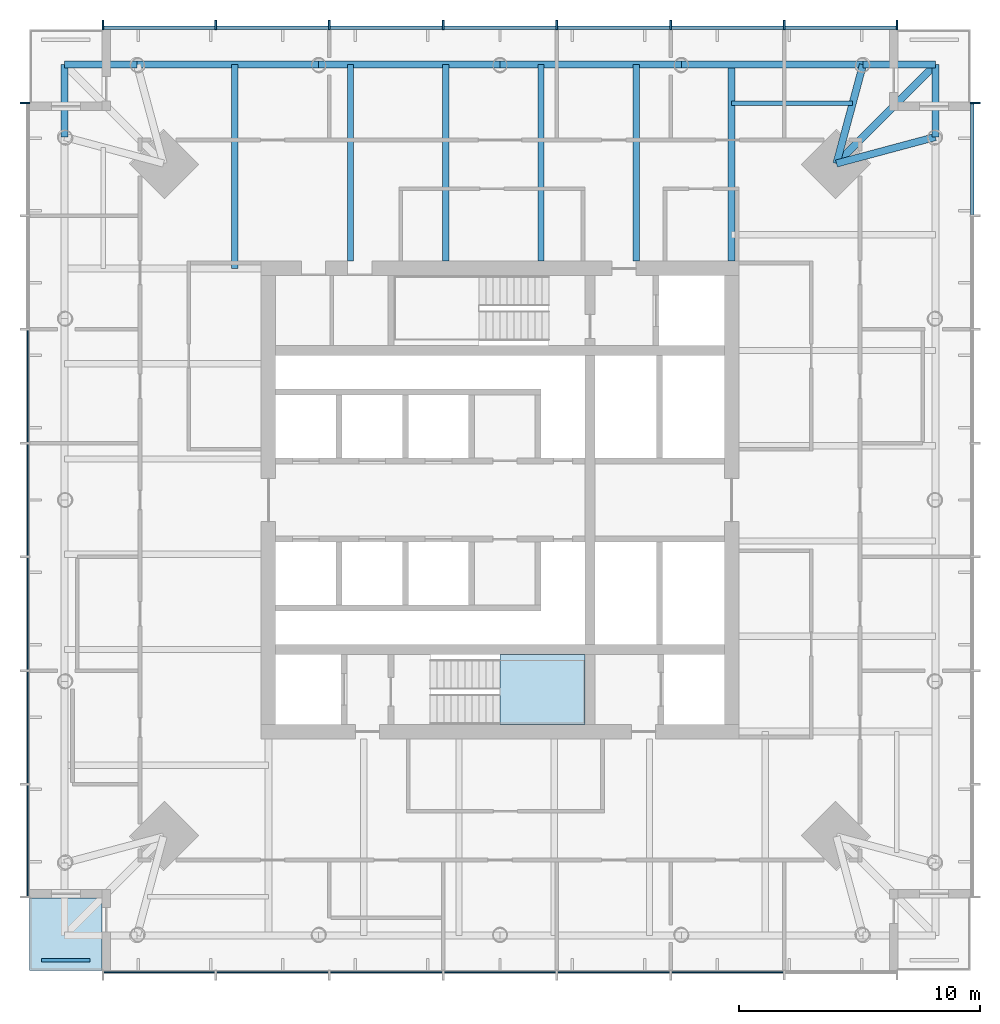
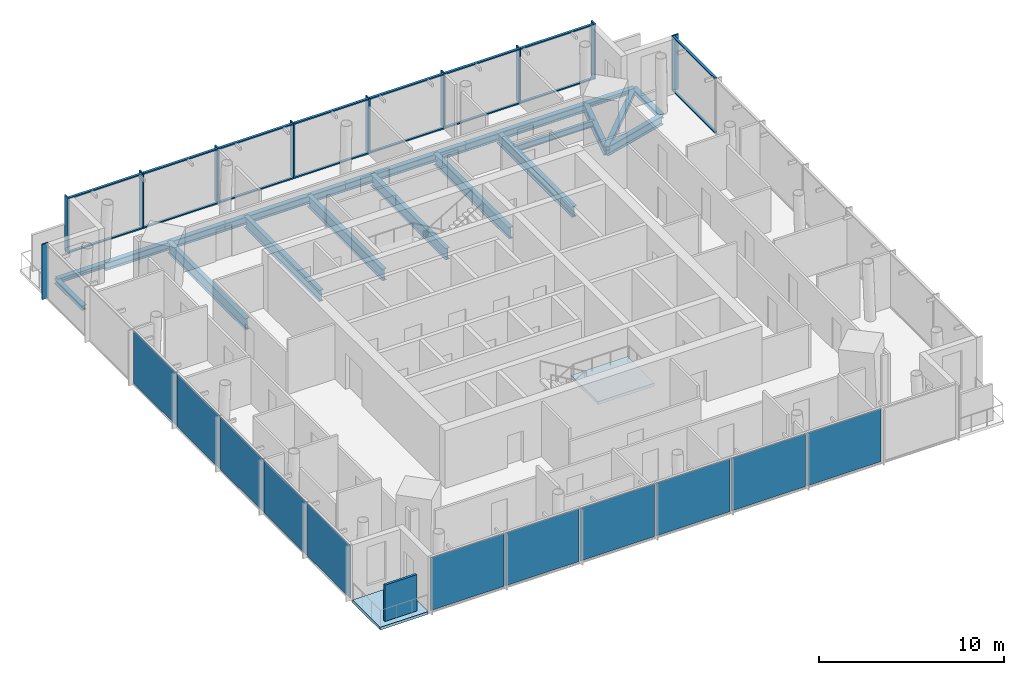
# One storey, part 3 of 9: 26 members, 18 beams, 12 plates, 2 slabs, 5 elements without a shape of their own.
"""IFC4 building model written with IfcOpenShell, lengths in metres."""

from ifc_helpers import new_model, si_unit, direction, frame, origin, origin_2d, place, context, subcontext, project, spatial, polyline, rectangle, i_section, outline, extrude, material, layer, layer_set, material_profile, profile_set, type_object, element, aggregate, save


model = new_model("IFC4")

# Units and contexts
model_context = context("Model", 3, precision=1e-05, world=origin(), true_north=direction((0.0, 1.0)))
body_context = subcontext(model_context, "Body", "Model", "MODEL_VIEW")
ifc_project = project(units=[si_unit("LENGTHUNIT", "METRE"), si_unit("AREAUNIT", "SQUARE_METRE"), si_unit("VOLUMEUNIT", "CUBIC_METRE"), si_unit("PLANEANGLEUNIT", "RADIAN"), si_unit("MASSUNIT", "GRAM", prefix="KILO")], contexts=[model_context])

# Site, building, storey
site_placement = place(None, origin())
site = spatial("IfcSite", under=ifc_project, at=site_placement, CompositionType="ELEMENT")
building_placement = place(site_placement, origin())
building = spatial("IfcBuilding", under=site, at=building_placement, Name="Ostroluk Exchange", CompositionType="ELEMENT")
storey_placement = place(building_placement, frame((0.0, 0.0, 207.199951171875)))
storey = spatial("IfcBuildingStorey", under=building, at=storey_placement, Name="L53", CompositionType="ELEMENT", Elevation=207.199951171875)

# Beams
ifc_material_1 = material(Name="Steel S355", Category="steel")
ifc_material_profile_1 = material_profile(ifc_material_1, i_section(OverallWidth=0.300048828125, OverallDepth=0.300048828125, WebThickness=0.010986328125, FlangeThickness=0.01904296875, FilletRadius=0.027099609375, at=origin_2d()), Name="HEB 300")
ifc_profile_set_1 = profile_set([ifc_material_profile_1], Name="Steel S355")
beam_type_1 = type_object("IfcBeamType", Name="Balcony beam HEB 300", PredefinedType="BEAM", material=ifc_profile_set_1)
for number, where, z_axis, x_axis, name in (
    (1, (63.050048828125, 61.050048828125, -0.329833984375), (0.0, 1.0, 0.0), (-1.0, 0.0, 0.0), "T1 east balcony beam a"),
    (2, (60.050048828125, 64.050048828125, -0.329833984375), (1.0, 0.0, 0.0), (0.0, 1.0, 0.0), "T1 east balcony beam b"),
):
    element("IfcBeam", number, at=place(storey_placement, frame(where, z_axis=z_axis, x_axis=x_axis)), inside=storey, type_object=beam_type_1, Name=name, PredefinedType="BEAM", context=body_context, shape_type="SweptSolid", body=[
        extrude(i_section(OverallWidth=0.300048828125, OverallDepth=0.300048828125, WebThickness=0.010986328125, FlangeThickness=0.01904296875, FilletRadius=0.027099609375, at=origin_2d()), origin(), (0.0, 0.0, 1.0), 3.0),
    ])
beam_1_placement = place(storey_placement, frame((58.949951171875, 59.949951171875, -0.329833984375), z_axis=(0.707106781187, 0.707106781187, 0.0), x_axis=(-0.707106781187, 0.707106781187, 0.0)))
element("IfcBeam", 3, at=beam_1_placement, inside=storey, type_object=beam_type_1, Name="T1 east balcony beam c", PredefinedType="BEAM", context=body_context, shape_type="SweptSolid", body=[
    extrude(i_section(OverallWidth=0.300048828125, OverallDepth=0.300048828125, WebThickness=0.010986328125, FlangeThickness=0.01904296875, FilletRadius=0.027099609375, at=origin_2d()), origin(), (0.0, 0.0, 1.0), 5.79833984375),
])
for number, where, z_axis, x_axis, name in (
    (4, (29.949951171875, 64.050048828125, -0.329833984375), (-1.0, 0.0, 0.0), (0.0, -1.0, 0.0), "T1 north balcony beam a"),
    (5, (26.949951171875, 61.050048828125, -0.329833984375), (0.0, 1.0, 0.0), (-1.0, 0.0, 0.0), "T1 north balcony beam b"),
):
    element("IfcBeam", number, at=place(storey_placement, frame(where, z_axis=z_axis, x_axis=x_axis)), inside=storey, type_object=beam_type_1, Name=name, PredefinedType="BEAM", context=body_context, shape_type="SweptSolid", body=[
        extrude(i_section(OverallWidth=0.300048828125, OverallDepth=0.300048828125, WebThickness=0.010986328125, FlangeThickness=0.01904296875, FilletRadius=0.027099609375, at=origin_2d()), origin(), (0.0, 0.0, 1.0), 3.0),
    ])
ifc_material_2 = material(Name="Steel S355", Category="steel")
ifc_material_profile_2 = material_profile(ifc_material_2, i_section(OverallWidth=0.300048828125, OverallDepth=0.60009765625, WebThickness=0.015380859375, FlangeThickness=0.030029296875, FilletRadius=0.027099609375, at=origin_2d()), Name="HEB 600")
ifc_profile_set_2 = profile_set([ifc_material_profile_2], Name="Steel S355")
beam_type_2 = type_object("IfcBeamType", Name="Corner edge beam HEB 600", PredefinedType="SPANDREL", material=ifc_profile_set_2)
for number, where, z_axis, x_axis, name in (
    (6, (58.949951171875, 59.949951171875, -0.47998046875), (0.965838624319, 0.259144268261, 0.0), (-0.259144268261, 0.965838624319, 0.0), "T1 east corner edge beam a"),
    (7, (58.949951171875, 59.949951171875, -0.47998046875), (0.259144268261, 0.965838624319, 0.0), (-0.965838624319, 0.259144268261, 0.0), "T1 east corner edge beam b"),
):
    element("IfcBeam", number, at=place(storey_placement, frame(where, z_axis=z_axis, x_axis=x_axis)), inside=storey, type_object=beam_type_2, Name=name, PredefinedType="SPANDREL", context=body_context, shape_type="SweptSolid", body=[
        extrude(i_section(OverallWidth=0.300048828125, OverallDepth=0.60009765625, WebThickness=0.015380859375, FlangeThickness=0.030029296875, FilletRadius=0.027099609375, at=origin_2d()), origin(), (0.0, 0.0, 1.0), 4.2451171875),
    ])
ifc_material_3 = material(Name="Steel S355", Category="steel")
ifc_material_profile_3 = material_profile(ifc_material_3, i_section(OverallWidth=0.179931640625, OverallDepth=0.39990234375, WebThickness=0.008544921875, FlangeThickness=0.013427734375, FilletRadius=0.02099609375, at=origin_2d()), Name="IPE 400")
ifc_profile_set_3 = profile_set([ifc_material_profile_3], Name="Steel S355")
beam_type_3 = type_object("IfcBeamType", Name="Floor beam IPE 400", PredefinedType="BEAM", material=ifc_profile_set_3)
beam_2_placement = place(storey_placement, frame((54.60009765625, 62.449951171875, -0.3798828125), z_axis=(1.0, 0.0, 0.0), x_axis=(0.0, 1.0, 0.0)))
element("IfcBeam", 8, at=beam_2_placement, inside=storey, type_object=beam_type_3, Name="T1 east floor beam 6", PredefinedType="BEAM", context=body_context, shape_type="SweptSolid", body=[
    extrude(i_section(OverallWidth=0.179931640625, OverallDepth=0.39990234375, WebThickness=0.008544921875, FlangeThickness=0.013427734375, FilletRadius=0.02099609375, at=origin_2d()), origin(), (0.0, 0.0, 1.0), 5.020751953125),
])
ifc_material_4 = material(Name="Steel S355", Category="steel")
ifc_material_profile_4 = material_profile(ifc_material_4, i_section(OverallWidth=0.264892578125, OverallDepth=0.7529296875, WebThickness=0.01318359375, FlangeThickness=0.01708984375, FilletRadius=0.01708984375, at=origin_2d()), Name="IPE 750x147")
ifc_profile_set_4 = profile_set([ifc_material_profile_4], Name="Steel S355")
beam_type_4 = type_object("IfcBeamType", Name="Floor beam IPE 750x147", PredefinedType="BEAM", material=ifc_profile_set_4)
for number, where, z_axis, x_axis, name in (
    (9, (50.64990234375, 55.89990234375, -0.556396484375), (0.0, 1.0, 0.0), (-1.0, 0.0, 0.0), "T1 north floor beam 1"),
    (10, (46.699951171875, 55.89990234375, -0.556396484375), (0.0, 1.0, 0.0), (-1.0, 0.0, 0.0), "T1 north floor beam 2"),
    (11, (42.75, 55.89990234375, -0.556396484375), (0.0, 1.0, 0.0), (-1.0, 0.0, 0.0), "T1 north floor beam 3"),
    (12, (38.800048828125, 55.89990234375, -0.556396484375), (0.0, 1.0, 0.0), (-1.0, 0.0, 0.0), "T1 north floor beam 4"),
):
    element("IfcBeam", number, at=place(storey_placement, frame(where, z_axis=z_axis, x_axis=x_axis)), inside=storey, type_object=beam_type_4, Name=name, PredefinedType="BEAM", context=body_context, shape_type="SweptSolid", body=[
        extrude(i_section(OverallWidth=0.264892578125, OverallDepth=0.7529296875, WebThickness=0.01318359375, FlangeThickness=0.01708984375, FilletRadius=0.01708984375, at=origin_2d()), origin(), (0.0, 0.0, 1.0), 8.150146484375),
    ])
beam_3_placement = place(storey_placement, frame((34.0, 55.60009765625, -0.556396484375), z_axis=(0.0, 1.0, 0.0), x_axis=(-1.0, 0.0, 0.0)))
element("IfcBeam", 13, at=beam_3_placement, inside=storey, type_object=beam_type_4, Name="T1 north floor beam 5", PredefinedType="BEAM", context=body_context, shape_type="SweptSolid", body=[
    extrude(i_section(OverallWidth=0.264892578125, OverallDepth=0.7529296875, WebThickness=0.01318359375, FlangeThickness=0.01708984375, FilletRadius=0.01708984375, at=origin_2d()), origin(), (0.0, 0.0, 1.0), 8.449951171875),
])
ifc_material_5 = material(Name="Steel S355", Category="steel")
ifc_material_profile_5 = material_profile(ifc_material_5, i_section(OverallWidth=0.300048828125, OverallDepth=0.699951171875, WebThickness=0.01708984375, FlangeThickness=0.031982421875, FilletRadius=0.027099609375, at=origin_2d()), Name="HEB 700")
ifc_profile_set_5 = profile_set([ifc_material_profile_5], Name="Steel S355")
beam_type_5 = type_object("IfcBeamType", Name="Girder HEB 700", PredefinedType="BEAM", material=ifc_profile_set_5)
beam_4_placement = place(storey_placement, frame((54.60009765625, 55.89990234375, -0.530029296875), z_axis=(0.0, 1.0, 0.0), x_axis=(-1.0, 0.0, 0.0)))
element("IfcBeam", 14, at=beam_4_placement, inside=storey, type_object=beam_type_5, Name="T1 east girder", PredefinedType="BEAM", context=body_context, shape_type="SweptSolid", body=[
    extrude(i_section(OverallWidth=0.300048828125, OverallDepth=0.699951171875, WebThickness=0.01708984375, FlangeThickness=0.031982421875, FilletRadius=0.027099609375, at=origin_2d()), origin(), (0.0, 0.0, 1.0), 8.150146484375),
])
ifc_material_6 = material(Name="Steel S355", Category="steel")
ifc_material_profile_6 = material_profile(ifc_material_6, i_section(OverallWidth=0.300048828125, OverallDepth=0.5, WebThickness=0.014404296875, FlangeThickness=0.028076171875, FilletRadius=0.027099609375, at=origin_2d()), Name="HEB 500")
ifc_profile_set_6 = profile_set([ifc_material_profile_6], Name="Steel S355")
beam_type_6 = type_object("IfcBeamType", Name="Moment-connected edge beam HEB 500", PredefinedType="SPANDREL", material=ifc_profile_set_6)
beam_5_placement = place(storey_placement, frame((60.050048828125, 64.050048828125, -0.429931640625), z_axis=(-1.0, 0.0, 0.0), x_axis=(0.0, -1.0, 0.0)))
element("IfcBeam", 15, at=beam_5_placement, inside=storey, type_object=beam_type_6, Name="T1 north edge beam 1", PredefinedType="SPANDREL", context=body_context, shape_type="SweptSolid", body=[
    extrude(i_section(OverallWidth=0.300048828125, OverallDepth=0.5, WebThickness=0.014404296875, FlangeThickness=0.028076171875, FilletRadius=0.027099609375, at=origin_2d()), origin(), (0.0, 0.0, 1.0), 7.525146484375),
])
for number, where, z_axis, x_axis, name in (
    (16, (52.52490234375, 64.050048828125, -0.429931640625), (-1.0, 0.0, 0.0), (0.0, -1.0, 0.0), "T1 north edge beam 2"),
    (17, (45.0, 64.050048828125, -0.429931640625), (-1.0, 0.0, 0.0), (0.0, -1.0, 0.0), "T1 north edge beam 3"),
):
    element("IfcBeam", number, at=place(storey_placement, frame(where, z_axis=z_axis, x_axis=x_axis)), inside=storey, type_object=beam_type_6, Name=name, PredefinedType="SPANDREL", context=body_context, shape_type="SweptSolid", body=[
        extrude(i_section(OverallWidth=0.300048828125, OverallDepth=0.5, WebThickness=0.014404296875, FlangeThickness=0.028076171875, FilletRadius=0.027099609375, at=origin_2d()), origin(), (0.0, 0.0, 1.0), 7.52490234375),
    ])
beam_6_placement = place(storey_placement, frame((37.47509765625, 64.050048828125, -0.429931640625), z_axis=(-1.0, 0.0, 0.0), x_axis=(0.0, -1.0, 0.0)))
element("IfcBeam", 18, at=beam_6_placement, inside=storey, type_object=beam_type_6, Name="T1 north edge beam 4", PredefinedType="SPANDREL", context=body_context, shape_type="SweptSolid", body=[
    extrude(i_section(OverallWidth=0.300048828125, OverallDepth=0.5, WebThickness=0.014404296875, FlangeThickness=0.028076171875, FilletRadius=0.027099609375, at=origin_2d()), origin(), (0.0, 0.0, 1.0), 7.525146484375),
])

# Curtain wall, members
ifc_material_7 = material(Name="Laminated clear glass", Category="glass")
curtain_wall_type = type_object("IfcCurtainWallType", Name="Office tower facade", PredefinedType="USERDEFINED", material=ifc_material_7)
curtain_wall_1_placement = place(storey_placement, origin())
curtain_wall_1 = element("IfcCurtainWall", 19, at=curtain_wall_1_placement, inside=storey, type_object=curtain_wall_type, Name="Office tower east facade L53", ObjectType="UNITISED CURTAIN WALL", PredefinedType="USERDEFINED")
ifc_material_8 = material(Name="Aluminium mullion", Category="aluminium")
ifc_material_profile_7 = material_profile(ifc_material_8, rectangle(XDim=0.14990234375, YDim=0.080078125, at=origin_2d()), Name="Sill transom 80 x 150")
ifc_profile_set_7 = profile_set([ifc_material_profile_7], Name="Aluminium mullion")
member_type_1 = type_object("IfcMemberType", Name="Sill transom 80 x 150", PredefinedType="USERDEFINED", material=ifc_profile_set_7)
member_1_placement = place(storey_placement, frame((64.574951171875, 57.82568359375, 0.0400390625), z_axis=(0.0, 1.0, 0.0), x_axis=(-1.0, 0.0, 0.0)))
member_1 = element("IfcMember", 20, at=member_1_placement, type_object=member_type_1, Name="CW-O1 transom 7.1", ObjectType="TRANSOM", PredefinedType="USERDEFINED", context=body_context, shape_type="SweptSolid", body=[
    extrude(rectangle(XDim=0.14990234375, YDim=0.080078125, at=origin_2d()), origin(), (0.0, 0.0, 1.0), 4.59423828125),
])
member_2_placement = place(storey_placement, frame((64.574951171875, 57.82568359375, 3.610107421875), z_axis=(0.0, 1.0, 0.0), x_axis=(-1.0, 0.0, 0.0)))
member_2 = element("IfcMember", 21, at=member_2_placement, type_object=member_type_1, Name="CW-O1 transom 7.2", ObjectType="TRANSOM", PredefinedType="USERDEFINED", context=body_context, shape_type="SweptSolid", body=[
    extrude(rectangle(XDim=0.14990234375, YDim=0.080078125, at=origin_2d()), origin(), (0.0, 0.0, 1.0), 4.59423828125),
])

curtain_wall_2_placement = place(storey_placement, origin())
curtain_wall_2 = element("IfcCurtainWall", 22, at=curtain_wall_2_placement, inside=storey, type_object=curtain_wall_type, Name="Office tower north facade L53", ObjectType="UNITISED CURTAIN WALL", PredefinedType="USERDEFINED")
member_3_placement = place(storey_placement, frame((61.419921875, 65.574951171875, 0.0400390625), z_axis=(-1.0, 0.0, 0.0), x_axis=(0.0, -1.0, 0.0)))
member_3 = element("IfcMember", 23, at=member_3_placement, type_object=member_type_1, Name="CW-O1 transom 1.1", ObjectType="TRANSOM", PredefinedType="USERDEFINED", context=body_context, shape_type="SweptSolid", body=[
    extrude(rectangle(XDim=0.14990234375, YDim=0.080078125, at=origin_2d()), origin(), (0.0, 0.0, 1.0), 4.59423828125),
])
member_4_placement = place(storey_placement, frame((61.419921875, 65.574951171875, 3.610107421875), z_axis=(-1.0, 0.0, 0.0), x_axis=(0.0, -1.0, 0.0)))
member_4 = element("IfcMember", 24, at=member_4_placement, type_object=member_type_1, Name="CW-O1 transom 1.2", ObjectType="TRANSOM", PredefinedType="USERDEFINED", context=body_context, shape_type="SweptSolid", body=[
    extrude(rectangle(XDim=0.14990234375, YDim=0.080078125, at=origin_2d()), origin(), (0.0, 0.0, 1.0), 4.59423828125),
])
member_5_placement = place(storey_placement, frame((56.74560546875, 65.574951171875, 0.0400390625), z_axis=(-1.0, 0.0, 0.0), x_axis=(0.0, -1.0, 0.0)))
member_5 = element("IfcMember", 25, at=member_5_placement, type_object=member_type_1, Name="CW-O1 transom 2.1", ObjectType="TRANSOM", PredefinedType="USERDEFINED", context=body_context, shape_type="SweptSolid", body=[
    extrude(rectangle(XDim=0.14990234375, YDim=0.080078125, at=origin_2d()), origin(), (0.0, 0.0, 1.0), 4.63427734375),
])
member_6_placement = place(storey_placement, frame((56.74560546875, 65.574951171875, 3.610107421875), z_axis=(-1.0, 0.0, 0.0), x_axis=(0.0, -1.0, 0.0)))
member_6 = element("IfcMember", 26, at=member_6_placement, type_object=member_type_1, Name="CW-O1 transom 2.2", ObjectType="TRANSOM", PredefinedType="USERDEFINED", context=body_context, shape_type="SweptSolid", body=[
    extrude(rectangle(XDim=0.14990234375, YDim=0.080078125, at=origin_2d()), origin(), (0.0, 0.0, 1.0), 4.63427734375),
])
member_7_placement = place(storey_placement, frame((52.031494140625, 65.574951171875, 0.0400390625), z_axis=(-1.0, 0.0, 0.0), x_axis=(0.0, -1.0, 0.0)))
member_7 = element("IfcMember", 27, at=member_7_placement, type_object=member_type_1, Name="CW-O1 transom 3.1", ObjectType="TRANSOM", PredefinedType="USERDEFINED", context=body_context, shape_type="SweptSolid", body=[
    extrude(rectangle(XDim=0.14990234375, YDim=0.080078125, at=origin_2d()), origin(), (0.0, 0.0, 1.0), 4.63427734375),
])
member_8_placement = place(storey_placement, frame((52.031494140625, 65.574951171875, 3.610107421875), z_axis=(-1.0, 0.0, 0.0), x_axis=(0.0, -1.0, 0.0)))
member_8 = element("IfcMember", 28, at=member_8_placement, type_object=member_type_1, Name="CW-O1 transom 3.2", ObjectType="TRANSOM", PredefinedType="USERDEFINED", context=body_context, shape_type="SweptSolid", body=[
    extrude(rectangle(XDim=0.14990234375, YDim=0.080078125, at=origin_2d()), origin(), (0.0, 0.0, 1.0), 4.63427734375),
])
member_9_placement = place(storey_placement, frame((47.317138671875, 65.574951171875, 0.0400390625), z_axis=(-1.0, 0.0, 0.0), x_axis=(0.0, -1.0, 0.0)))
member_9 = element("IfcMember", 29, at=member_9_placement, type_object=member_type_1, Name="CW-O1 transom 4.1", ObjectType="TRANSOM", PredefinedType="USERDEFINED", context=body_context, shape_type="SweptSolid", body=[
    extrude(rectangle(XDim=0.14990234375, YDim=0.080078125, at=origin_2d()), origin(), (0.0, 0.0, 1.0), 4.63427734375),
])
member_10_placement = place(storey_placement, frame((47.317138671875, 65.574951171875, 3.610107421875), z_axis=(-1.0, 0.0, 0.0), x_axis=(0.0, -1.0, 0.0)))
member_10 = element("IfcMember", 30, at=member_10_placement, type_object=member_type_1, Name="CW-O1 transom 4.2", ObjectType="TRANSOM", PredefinedType="USERDEFINED", context=body_context, shape_type="SweptSolid", body=[
    extrude(rectangle(XDim=0.14990234375, YDim=0.080078125, at=origin_2d()), origin(), (0.0, 0.0, 1.0), 4.63427734375),
])
member_11_placement = place(storey_placement, frame((42.602783203125, 65.574951171875, 0.0400390625), z_axis=(-1.0, 0.0, 0.0), x_axis=(0.0, -1.0, 0.0)))
member_11 = element("IfcMember", 31, at=member_11_placement, type_object=member_type_1, Name="CW-O1 transom 5.1", ObjectType="TRANSOM", PredefinedType="USERDEFINED", context=body_context, shape_type="SweptSolid", body=[
    extrude(rectangle(XDim=0.14990234375, YDim=0.080078125, at=origin_2d()), origin(), (0.0, 0.0, 1.0), 4.63427734375),
])
member_12_placement = place(storey_placement, frame((42.602783203125, 65.574951171875, 3.610107421875), z_axis=(-1.0, 0.0, 0.0), x_axis=(0.0, -1.0, 0.0)))
member_12 = element("IfcMember", 32, at=member_12_placement, type_object=member_type_1, Name="CW-O1 transom 5.2", ObjectType="TRANSOM", PredefinedType="USERDEFINED", context=body_context, shape_type="SweptSolid", body=[
    extrude(rectangle(XDim=0.14990234375, YDim=0.080078125, at=origin_2d()), origin(), (0.0, 0.0, 1.0), 4.63427734375),
])
member_13_placement = place(storey_placement, frame((37.888671875, 65.574951171875, 0.0400390625), z_axis=(-1.0, 0.0, 0.0), x_axis=(0.0, -1.0, 0.0)))
member_13 = element("IfcMember", 33, at=member_13_placement, type_object=member_type_1, Name="CW-O1 transom 6.1", ObjectType="TRANSOM", PredefinedType="USERDEFINED", context=body_context, shape_type="SweptSolid", body=[
    extrude(rectangle(XDim=0.14990234375, YDim=0.080078125, at=origin_2d()), origin(), (0.0, 0.0, 1.0), 4.63427734375),
])
member_14_placement = place(storey_placement, frame((37.888671875, 65.574951171875, 3.610107421875), z_axis=(-1.0, 0.0, 0.0), x_axis=(0.0, -1.0, 0.0)))
member_14 = element("IfcMember", 34, at=member_14_placement, type_object=member_type_1, Name="CW-O1 transom 6.2", ObjectType="TRANSOM", PredefinedType="USERDEFINED", context=body_context, shape_type="SweptSolid", body=[
    extrude(rectangle(XDim=0.14990234375, YDim=0.080078125, at=origin_2d()), origin(), (0.0, 0.0, 1.0), 4.63427734375),
])
member_15_placement = place(storey_placement, frame((33.17431640625, 65.574951171875, 0.0400390625), z_axis=(-1.0, 0.0, 0.0), x_axis=(0.0, -1.0, 0.0)))
member_15 = element("IfcMember", 35, at=member_15_placement, type_object=member_type_1, Name="CW-O1 transom 7.1", ObjectType="TRANSOM", PredefinedType="USERDEFINED", context=body_context, shape_type="SweptSolid", body=[
    extrude(rectangle(XDim=0.14990234375, YDim=0.080078125, at=origin_2d()), origin(), (0.0, 0.0, 1.0), 4.59423828125),
])
member_16_placement = place(storey_placement, frame((33.17431640625, 65.574951171875, 3.610107421875), z_axis=(-1.0, 0.0, 0.0), x_axis=(0.0, -1.0, 0.0)))
member_16 = element("IfcMember", 36, at=member_16_placement, type_object=member_type_1, Name="CW-O1 transom 7.2", ObjectType="TRANSOM", PredefinedType="USERDEFINED", context=body_context, shape_type="SweptSolid", body=[
    extrude(rectangle(XDim=0.14990234375, YDim=0.080078125, at=origin_2d()), origin(), (0.0, 0.0, 1.0), 4.59423828125),
])

# Member
ifc_material_9 = material(Name="Aluminium mullion with limestone facing", Category="masonry")
ifc_material_profile_8 = material_profile(ifc_material_9, rectangle(XDim=0.39990234375, YDim=0.080078125, at=origin_2d()), Name="Tracery mullion 80 x 400")
ifc_profile_set_8 = profile_set([ifc_material_profile_8], Name="Aluminium mullion with limestone facing")
member_type_2 = type_object("IfcMemberType", Name="Tracery mullion 80 x 400", PredefinedType="MULLION", material=ifc_profile_set_8)
member_17_placement = place(storey_placement, frame((64.699951171875, 62.4599609375, 0.0), z_axis=(0.0, 0.0, 1.0), x_axis=(-1.0, 0.0, 0.0)))
member_17 = element("IfcMember", 37, at=member_17_placement, type_object=member_type_2, Name="CW-O1 mullion 8", PredefinedType="MULLION", context=body_context, shape_type="SweptSolid", body=[
    extrude(rectangle(XDim=0.39990234375, YDim=0.080078125, at=origin_2d()), origin(), (0.0, 0.0, 1.0), 3.650146484375),
])

aggregate(curtain_wall_1, [member_17, member_1, member_2])

member_18_placement = place(storey_placement, frame((61.4599609375, 65.699951171875, 0.0), z_axis=(0.0, 0.0, 1.0), x_axis=(0.0, -1.0, 0.0)))
member_18 = element("IfcMember", 38, at=member_18_placement, type_object=member_type_2, Name="CW-O1 mullion 1", PredefinedType="MULLION", context=body_context, shape_type="SweptSolid", body=[
    extrude(rectangle(XDim=0.39990234375, YDim=0.080078125, at=origin_2d()), origin(), (0.0, 0.0, 1.0), 3.650146484375),
])

member_19_placement = place(storey_placement, frame((56.78564453125, 65.699951171875, 0.0), z_axis=(0.0, 0.0, 1.0), x_axis=(0.0, -1.0, 0.0)))
member_19 = element("IfcMember", 39, at=member_19_placement, type_object=member_type_2, Name="CW-O1 mullion 2", PredefinedType="MULLION", context=body_context, shape_type="SweptSolid", body=[
    extrude(rectangle(XDim=0.39990234375, YDim=0.080078125, at=origin_2d()), origin(), (0.0, 0.0, 1.0), 3.650146484375),
])

member_20_placement = place(storey_placement, frame((52.071533203125, 65.699951171875, 0.0), z_axis=(0.0, 0.0, 1.0), x_axis=(0.0, -1.0, 0.0)))
member_20 = element("IfcMember", 40, at=member_20_placement, type_object=member_type_2, Name="CW-O1 mullion 3", PredefinedType="MULLION", context=body_context, shape_type="SweptSolid", body=[
    extrude(rectangle(XDim=0.39990234375, YDim=0.080078125, at=origin_2d()), origin(), (0.0, 0.0, 1.0), 3.650146484375),
])

member_21_placement = place(storey_placement, frame((47.357177734375, 65.699951171875, 0.0), z_axis=(0.0, 0.0, 1.0), x_axis=(0.0, -1.0, 0.0)))
member_21 = element("IfcMember", 41, at=member_21_placement, type_object=member_type_2, Name="CW-O1 mullion 4", PredefinedType="MULLION", context=body_context, shape_type="SweptSolid", body=[
    extrude(rectangle(XDim=0.39990234375, YDim=0.080078125, at=origin_2d()), origin(), (0.0, 0.0, 1.0), 3.650146484375),
])

member_22_placement = place(storey_placement, frame((42.642822265625, 65.699951171875, 0.0), z_axis=(0.0, 0.0, 1.0), x_axis=(0.0, -1.0, 0.0)))
member_22 = element("IfcMember", 42, at=member_22_placement, type_object=member_type_2, Name="CW-O1 mullion 5", PredefinedType="MULLION", context=body_context, shape_type="SweptSolid", body=[
    extrude(rectangle(XDim=0.39990234375, YDim=0.080078125, at=origin_2d()), origin(), (0.0, 0.0, 1.0), 3.650146484375),
])

member_23_placement = place(storey_placement, frame((37.928466796875, 65.699951171875, 0.0), z_axis=(0.0, 0.0, 1.0), x_axis=(0.0, -1.0, 0.0)))
member_23 = element("IfcMember", 43, at=member_23_placement, type_object=member_type_2, Name="CW-O1 mullion 6", PredefinedType="MULLION", context=body_context, shape_type="SweptSolid", body=[
    extrude(rectangle(XDim=0.39990234375, YDim=0.080078125, at=origin_2d()), origin(), (0.0, 0.0, 1.0), 3.650146484375),
])

member_24_placement = place(storey_placement, frame((33.21435546875, 65.699951171875, 0.0), z_axis=(0.0, 0.0, 1.0), x_axis=(0.0, -1.0, 0.0)))
member_24 = element("IfcMember", 44, at=member_24_placement, type_object=member_type_2, Name="CW-O1 mullion 7", PredefinedType="MULLION", context=body_context, shape_type="SweptSolid", body=[
    extrude(rectangle(XDim=0.39990234375, YDim=0.080078125, at=origin_2d()), origin(), (0.0, 0.0, 1.0), 3.650146484375),
])

member_25_placement = place(storey_placement, frame((28.5400390625, 65.699951171875, 0.0), z_axis=(0.0, 0.0, 1.0), x_axis=(0.0, -1.0, 0.0)))
member_25 = element("IfcMember", 45, at=member_25_placement, type_object=member_type_2, Name="CW-O1 mullion 8", PredefinedType="MULLION", context=body_context, shape_type="SweptSolid", body=[
    extrude(rectangle(XDim=0.39990234375, YDim=0.080078125, at=origin_2d()), origin(), (0.0, 0.0, 1.0), 3.650146484375),
])

aggregate(curtain_wall_2, [member_18, member_19, member_20, member_21, member_22, member_23, member_24, member_25, member_3, member_4, member_5, member_6, member_7, member_8, member_9, member_10, member_11, member_12, member_13, member_14, member_15, member_16])

# Curtain wall, member
curtain_wall_3_placement = place(storey_placement, origin())
curtain_wall_3 = element("IfcCurtainWall", 46, at=curtain_wall_3_placement, inside=storey, type_object=curtain_wall_type, Name="Office tower west facade L53", ObjectType="UNITISED CURTAIN WALL", PredefinedType="USERDEFINED")
member_26_placement = place(storey_placement, frame((25.300048828125, 62.4599609375, 0.0), z_axis=(0.0, 0.0, 1.0), x_axis=(1.0, 0.0, 0.0)))
member_26 = element("IfcMember", 47, at=member_26_placement, type_object=member_type_2, Name="CW-O1 mullion 1", PredefinedType="MULLION", context=body_context, shape_type="SweptSolid", body=[
    extrude(rectangle(XDim=0.39990234375, YDim=0.080078125, at=origin_2d()), origin(), (0.0, 0.0, 1.0), 3.650146484375),
])

# Slab
ifc_material_10 = material(Name="Concrete C35/45", Category="concrete")
ifc_layer_1 = layer(ifc_material_10, 0.179931640625)
ifc_layer_set_1 = layer_set([ifc_layer_1], Name="Balcony slab 180")
slab_type_1 = type_object("IfcSlabType", Name="Balcony slab 180", PredefinedType="USERDEFINED", material=ifc_layer_set_1)
slab_1_placement = place(storey_placement, frame((0.0, 0.0, -0.179931640625)))
element("IfcSlab", 48, at=slab_1_placement, inside=storey, type_object=slab_type_1, Name="Office tower SW corner balcony L53", ObjectType="BALCONY", PredefinedType="USERDEFINED", context=body_context, shape_type="SweptSolid", body=[
    extrude(outline(polyline([(25.5, 26.5), (28.5, 26.5), (28.5, 29.5), (25.5, 29.5), (25.5, 26.5)])), origin(), (0.0, 0.0, 1.0), 0.179931640625),
])

# Plate
ifc_material_11 = material(Name="Steel S355 trellis with planting", Category="steel")
ifc_layer_2 = layer(ifc_material_11, 0.14990234375)
ifc_layer_set_2 = layer_set([ifc_layer_2], Name="Planted screen 150")
plate_type_1 = type_object("IfcPlateType", Name="Planted screen 150", PredefinedType="USERDEFINED", material=ifc_layer_set_2)
plate_1_placement = place(storey_placement, frame((27.0, 26.925048828125, 0.0), z_axis=(0.0, 0.0, 1.0), x_axis=(1.0, 0.0, 0.0)))
element("IfcPlate", 49, at=plate_1_placement, inside=storey, type_object=plate_type_1, Name="Office tower SW planted screen L53", ObjectType="PLANTED SCREEN", PredefinedType="USERDEFINED", context=body_context, shape_type="SweptSolid", body=[
    extrude(rectangle(XDim=2.0, YDim=0.14990234375, at=origin_2d()), origin(), (0.0, 0.0, 1.0), 2.39990234375),
])

# Stair, slab
ifc_material_12 = material(Name="Concrete C30/37", Category="concrete")
stair_type = type_object("IfcStairType", Name="Exit stair half turn 3800", PredefinedType="HALF_TURN_STAIR", material=ifc_material_12)
stair_placement = place(storey_placement, origin())
stair = element("IfcStair", 50, at=stair_placement, inside=storey, type_object=stair_type, Name="Stair T1-S1 L53", PredefinedType="HALF_TURN_STAIR")
ifc_material_13 = material(Name="Concrete C30/37", Category="concrete")
ifc_layer_3 = layer(ifc_material_13, 0.199951171875)
ifc_layer_set_3 = layer_set([ifc_layer_3], Name="Stair landing 200")
slab_type_2 = type_object("IfcSlabType", Name="Stair landing 200", PredefinedType="LANDING", material=ifc_layer_set_3)
slab_2_placement = place(storey_placement, frame((0.0, 0.0, 1.699951171875)))
slab_2 = element("IfcSlab", 51, at=slab_2_placement, type_object=slab_type_2, Name="T1-S1 landing 1", PredefinedType="LANDING", context=body_context, shape_type="SweptSolid", body=[
    extrude(outline(polyline([(45.0, 36.699951171875), (45.0, 39.60009765625), (48.530029296875, 39.60009765625), (48.530029296875, 36.699951171875), (45.0, 36.699951171875)])), origin(), (0.0, 0.0, 1.0), 0.2001953125),
])
aggregate(stair, [slab_2])

# Curtain wall, plates
curtain_wall_4_placement = place(storey_placement, origin())
curtain_wall_4 = element("IfcCurtainWall", 52, at=curtain_wall_4_placement, inside=storey, type_object=curtain_wall_type, Name="Office tower south facade L53", ObjectType="UNITISED CURTAIN WALL", PredefinedType="USERDEFINED")
ifc_material_14 = material(Name="Laminated clear glass", Category="glass")
ifc_layer_4 = layer(ifc_material_14, 0.0439453125)
ifc_layer_set_4 = layer_set([ifc_layer_4], Name="Triple laminated clear glazing 44")
plate_type_2 = type_object("IfcPlateType", Name="Triple laminated clear glazing 44", PredefinedType="CURTAIN_PANEL", material=ifc_layer_set_4)
plate_2_placement = place(storey_placement, frame((30.877197265625, 26.425048828125, 0.080078125), z_axis=(0.0, 0.0, 1.0), x_axis=(1.0, 0.0, 0.0)))
plate_2 = element("IfcPlate", 53, at=plate_2_placement, type_object=plate_type_2, Name="CW-O1 panel 1.1", PredefinedType="CURTAIN_PANEL", context=body_context, shape_type="SweptSolid", body=[
    extrude(rectangle(XDim=4.59423828125, YDim=0.0439453125, at=origin_2d()), origin(), (0.0, 0.0, 1.0), 3.489990234375),
])
plate_3_placement = place(storey_placement, frame((35.571533203125, 26.425048828125, 0.080078125), z_axis=(0.0, 0.0, 1.0), x_axis=(1.0, 0.0, 0.0)))
plate_3 = element("IfcPlate", 54, at=plate_3_placement, type_object=plate_type_2, Name="CW-O1 panel 2.1", PredefinedType="CURTAIN_PANEL", context=body_context, shape_type="SweptSolid", body=[
    extrude(rectangle(XDim=4.63427734375, YDim=0.0439453125, at=origin_2d()), origin(), (0.0, 0.0, 1.0), 3.489990234375),
])
plate_4_placement = place(storey_placement, frame((40.28564453125, 26.425048828125, 0.080078125), z_axis=(0.0, 0.0, 1.0), x_axis=(1.0, 0.0, 0.0)))
plate_4 = element("IfcPlate", 55, at=plate_4_placement, type_object=plate_type_2, Name="CW-O1 panel 3.1", PredefinedType="CURTAIN_PANEL", context=body_context, shape_type="SweptSolid", body=[
    extrude(rectangle(XDim=4.63427734375, YDim=0.0439453125, at=origin_2d()), origin(), (0.0, 0.0, 1.0), 3.489990234375),
])
plate_5_placement = place(storey_placement, frame((45.0, 26.425048828125, 0.080078125), z_axis=(0.0, 0.0, 1.0), x_axis=(1.0, 0.0, 0.0)))
plate_5 = element("IfcPlate", 56, at=plate_5_placement, type_object=plate_type_2, Name="CW-O1 panel 4.1", PredefinedType="CURTAIN_PANEL", context=body_context, shape_type="SweptSolid", body=[
    extrude(rectangle(XDim=4.63427734375, YDim=0.0439453125, at=origin_2d()), origin(), (0.0, 0.0, 1.0), 3.489990234375),
])
plate_6_placement = place(storey_placement, frame((49.71435546875, 26.425048828125, 0.080078125), z_axis=(0.0, 0.0, 1.0), x_axis=(1.0, 0.0, 0.0)))
plate_6 = element("IfcPlate", 57, at=plate_6_placement, type_object=plate_type_2, Name="CW-O1 panel 5.1", PredefinedType="CURTAIN_PANEL", context=body_context, shape_type="SweptSolid", body=[
    extrude(rectangle(XDim=4.63427734375, YDim=0.0439453125, at=origin_2d()), origin(), (0.0, 0.0, 1.0), 3.489990234375),
])
plate_7_placement = place(storey_placement, frame((54.428466796875, 26.425048828125, 0.080078125), z_axis=(0.0, 0.0, 1.0), x_axis=(1.0, 0.0, 0.0)))
plate_7 = element("IfcPlate", 58, at=plate_7_placement, type_object=plate_type_2, Name="CW-O1 panel 6.1", PredefinedType="CURTAIN_PANEL", context=body_context, shape_type="SweptSolid", body=[
    extrude(rectangle(XDim=4.63427734375, YDim=0.0439453125, at=origin_2d()), origin(), (0.0, 0.0, 1.0), 3.489990234375),
])
aggregate(curtain_wall_4, [plate_2, plate_3, plate_4, plate_5, plate_6, plate_7])

# Plate
plate_8_placement = place(storey_placement, frame((25.425048828125, 50.71435546875, 0.080078125), z_axis=(0.0, 0.0, 1.0), x_axis=(0.0, -1.0, 0.0)))
plate_8 = element("IfcPlate", 59, at=plate_8_placement, type_object=plate_type_2, Name="CW-O1 panel 3.1", PredefinedType="CURTAIN_PANEL", context=body_context, shape_type="SweptSolid", body=[
    extrude(rectangle(XDim=4.63427734375, YDim=0.0439453125, at=origin_2d()), origin(), (0.0, 0.0, 1.0), 3.489990234375),
])

plate_9_placement = place(storey_placement, frame((25.425048828125, 46.0, 0.080078125), z_axis=(0.0, 0.0, 1.0), x_axis=(0.0, -1.0, 0.0)))
plate_9 = element("IfcPlate", 60, at=plate_9_placement, type_object=plate_type_2, Name="CW-O1 panel 4.1", PredefinedType="CURTAIN_PANEL", context=body_context, shape_type="SweptSolid", body=[
    extrude(rectangle(XDim=4.63427734375, YDim=0.0439453125, at=origin_2d()), origin(), (0.0, 0.0, 1.0), 3.489990234375),
])

plate_10_placement = place(storey_placement, frame((25.425048828125, 41.28564453125, 0.080078125), z_axis=(0.0, 0.0, 1.0), x_axis=(0.0, -1.0, 0.0)))
plate_10 = element("IfcPlate", 61, at=plate_10_placement, type_object=plate_type_2, Name="CW-O1 panel 5.1", PredefinedType="CURTAIN_PANEL", context=body_context, shape_type="SweptSolid", body=[
    extrude(rectangle(XDim=4.63427734375, YDim=0.0439453125, at=origin_2d()), origin(), (0.0, 0.0, 1.0), 3.489990234375),
])

plate_11_placement = place(storey_placement, frame((25.425048828125, 36.571533203125, 0.080078125), z_axis=(0.0, 0.0, 1.0), x_axis=(0.0, -1.0, 0.0)))
plate_11 = element("IfcPlate", 62, at=plate_11_placement, type_object=plate_type_2, Name="CW-O1 panel 6.1", PredefinedType="CURTAIN_PANEL", context=body_context, shape_type="SweptSolid", body=[
    extrude(rectangle(XDim=4.63427734375, YDim=0.0439453125, at=origin_2d()), origin(), (0.0, 0.0, 1.0), 3.489990234375),
])

plate_12_placement = place(storey_placement, frame((25.425048828125, 31.877197265625, 0.080078125), z_axis=(0.0, 0.0, 1.0), x_axis=(0.0, -1.0, 0.0)))
plate_12 = element("IfcPlate", 63, at=plate_12_placement, type_object=plate_type_2, Name="CW-O1 panel 7.1", PredefinedType="CURTAIN_PANEL", context=body_context, shape_type="SweptSolid", body=[
    extrude(rectangle(XDim=4.59423828125, YDim=0.0439453125, at=origin_2d()), origin(), (0.0, 0.0, 1.0), 3.489990234375),
])

aggregate(curtain_wall_3, [member_26, plate_8, plate_9, plate_10, plate_11, plate_12])

save(model, "model.ifc")
